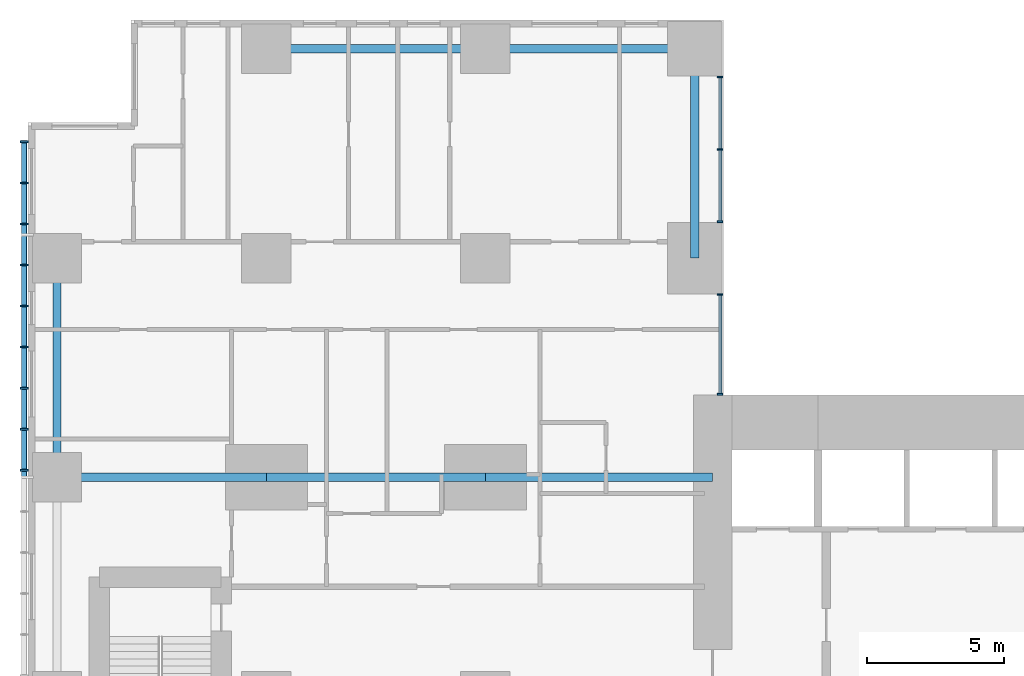
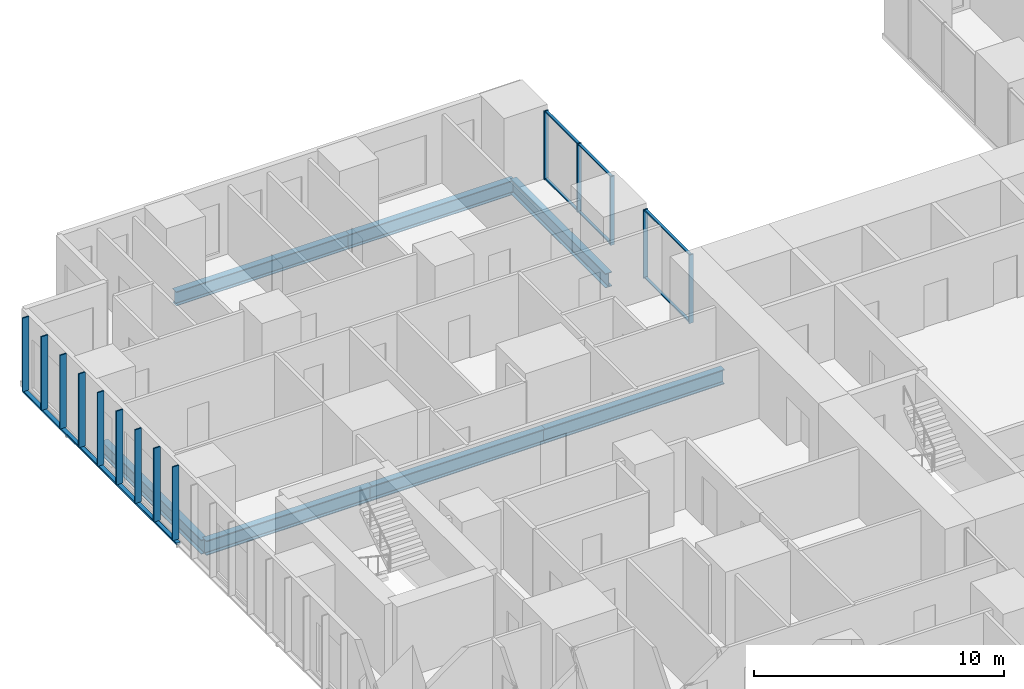
# One storey, part 4 of 20: 21 members, 7 beams, 2 elements without a shape of their own.
"""IFC4 building model written with IfcOpenShell, lengths in metres."""

from ifc_helpers import new_model, si_unit, direction, frame, origin, origin_2d, place, context, subcontext, project, spatial, rectangle, hollow_rectangle, i_section, extrude, material, layer, layer_set, material_profile, profile_set, type_object, element, aggregate, save


model = new_model("IFC4")

# Units and contexts
model_context = context("Model", 3, precision=1e-05, world=origin(), true_north=direction((0.0, 1.0)))
body_context = subcontext(model_context, "Body", "Model", "MODEL_VIEW")
ifc_project = project(units=[si_unit("LENGTHUNIT", "METRE"), si_unit("AREAUNIT", "SQUARE_METRE"), si_unit("VOLUMEUNIT", "CUBIC_METRE"), si_unit("PLANEANGLEUNIT", "RADIAN"), si_unit("MASSUNIT", "GRAM", prefix="KILO")], contexts=[model_context])

# Site, building, storey
site_placement = place(None, origin())
site = spatial("IfcSite", under=ifc_project, at=site_placement, CompositionType="ELEMENT")
building_placement = place(site_placement, origin())
building = spatial("IfcBuilding", under=site, at=building_placement, Name="Cleftline Residences", CompositionType="ELEMENT")
storey_placement = place(building_placement, frame((0.0, 0.0, 196.60009765625)))
storey = spatial("IfcBuildingStorey", under=building, at=storey_placement, Name="L51", CompositionType="ELEMENT", Elevation=196.60009765625)

# Member
ifc_material_1 = material(Name="Steel S355, hot-dip galvanised", Category="steel")
ifc_material_profile_1 = material_profile(ifc_material_1, hollow_rectangle(XDim=0.10009765625, YDim=0.199951171875, WallThickness=0.008056640625, InnerFilletRadius=0.008056640625, OuterFilletRadius=0.011962890625, at=origin_2d()))
ifc_profile_set_1 = profile_set([ifc_material_profile_1], Name="Steel S355, hot-dip galvanised")
member_type_1 = type_object("IfcMemberType", Name="BAGUETTE CARRIER RHS 200X100X8", PredefinedType="USERDEFINED", material=ifc_profile_set_1)
member_1_placement = place(storey_placement, frame((-0.85009765625, 44.300048828125, -0.050048828125), z_axis=(0.0, -1.0, 0.0), x_axis=(0.0, 0.0, 1.0)))
element("IfcMember", 1, at=member_1_placement, inside=storey, type_object=member_type_1, Name="Baguette carrier", ObjectType="BAGUETTE CARRIER", PredefinedType="USERDEFINED", context=body_context, shape_type="SweptSolid", body=[
    extrude(hollow_rectangle(XDim=0.10009765625, YDim=0.199951171875, WallThickness=0.008056640625, InnerFilletRadius=0.008056640625, OuterFilletRadius=0.011962890625, at=origin_2d()), origin(), (0.0, 0.0, 1.0), 12.300048828125),
])

# Beams
ifc_material_2 = material(Name="Steel S355", Category="steel")
ifc_material_profile_2 = material_profile(ifc_material_2, i_section(OverallWidth=0.300048828125, OverallDepth=0.699951171875, WebThickness=0.01708984375, FlangeThickness=0.031982421875, FilletRadius=0.027099609375, at=origin_2d()))
ifc_profile_set_2 = profile_set([ifc_material_profile_2], Name="Steel S355")
beam_type_1 = type_object("IfcBeamType", Name="BEAM HEB 700", PredefinedType="BEAM", material=ifc_profile_set_2)
for number, where, z_axis, x_axis, name in (
    (2, (0.35009765625, 32.0, -0.60009765625), (0.0, 1.0, 0.0), (-1.0, 0.0, 0.0), "Edge beam"),
    (3, (8.0, 47.64990234375, -0.60009765625), (1.0, 0.0, 0.0), (0.0, 1.0, 0.0), "Edge beam"),
):
    element("IfcBeam", number, at=place(storey_placement, frame(where, z_axis=z_axis, x_axis=x_axis)), inside=storey, type_object=beam_type_1, Name=name, PredefinedType="BEAM", context=body_context, shape_type="SweptSolid", body=[
        extrude(i_section(OverallWidth=0.300048828125, OverallDepth=0.699951171875, WebThickness=0.01708984375, FlangeThickness=0.031982421875, FilletRadius=0.027099609375, at=origin_2d()), origin(), (0.0, 0.0, 1.0), 8.0),
    ])
for number, where, z_axis, x_axis, name in (
    (4, (16.0, 47.64990234375, -0.60009765625), (1.0, 0.0, 0.0), (0.0, 1.0, 0.0), "Edge beam"),
    (5, (23.64990234375, 47.64990234375, -0.60009765625), (0.0, -1.0, 0.0), (1.0, 0.0, 0.0), "Edge beam"),
):
    element("IfcBeam", number, at=place(storey_placement, frame(where, z_axis=z_axis, x_axis=x_axis)), inside=storey, type_object=beam_type_1, Name=name, PredefinedType="BEAM", context=body_context, shape_type="SweptSolid", body=[
        extrude(i_section(OverallWidth=0.300048828125, OverallDepth=0.699951171875, WebThickness=0.01708984375, FlangeThickness=0.031982421875, FilletRadius=0.027099609375, at=origin_2d()), origin(), (0.0, 0.0, 1.0), 7.64990234375),
    ])
ifc_material_3 = material(Name="Steel S355", Category="steel")
ifc_material_profile_3 = material_profile(ifc_material_3, i_section(OverallWidth=0.303955078125, OverallDepth=0.716064453125, WebThickness=0.02099609375, FlangeThickness=0.0400390625, FilletRadius=0.027099609375, at=origin_2d()))
ifc_profile_set_3 = profile_set([ifc_material_profile_3], Name="Steel S355")
beam_type_2 = type_object("IfcBeamType", Name="BEAM HEM 700", PredefinedType="BEAM", material=ifc_profile_set_3)
beam_1_placement = place(storey_placement, frame((0.35009765625, 32.0, -0.608154296875), z_axis=(1.0, 0.0, 0.0), x_axis=(0.0, 1.0, 0.0)))
element("IfcBeam", 6, at=beam_1_placement, inside=storey, type_object=beam_type_2, Name="Band beam", PredefinedType="BEAM", context=body_context, shape_type="SweptSolid", body=[
    extrude(i_section(OverallWidth=0.303955078125, OverallDepth=0.716064453125, WebThickness=0.02099609375, FlangeThickness=0.0400390625, FilletRadius=0.027099609375, at=origin_2d()), origin(), (0.0, 0.0, 1.0), 7.64990234375),
])
beam_2_placement = place(storey_placement, frame((8.0, 32.0, -0.608154296875), z_axis=(1.0, 0.0, 0.0), x_axis=(0.0, 1.0, 0.0)))
element("IfcBeam", 7, at=beam_2_placement, inside=storey, type_object=beam_type_2, Name="Band beam", PredefinedType="BEAM", context=body_context, shape_type="SweptSolid", body=[
    extrude(i_section(OverallWidth=0.303955078125, OverallDepth=0.716064453125, WebThickness=0.02099609375, FlangeThickness=0.0400390625, FilletRadius=0.027099609375, at=origin_2d()), origin(), (0.0, 0.0, 1.0), 8.0),
])
beam_3_placement = place(storey_placement, frame((16.0, 32.0, -0.608154296875), z_axis=(1.0, 0.0, 0.0), x_axis=(0.0, 1.0, 0.0)))
element("IfcBeam", 8, at=beam_3_placement, inside=storey, type_object=beam_type_2, Name="Band beam", PredefinedType="BEAM", context=body_context, shape_type="SweptSolid", body=[
    extrude(i_section(OverallWidth=0.303955078125, OverallDepth=0.716064453125, WebThickness=0.02099609375, FlangeThickness=0.0400390625, FilletRadius=0.027099609375, at=origin_2d()), origin(), (0.0, 0.0, 1.0), 8.300048828125),
])

# Curtain wall, members
ifc_material_4 = material(Name="Aluminium framed curtain wall", Category="aluminium")
ifc_layer = layer(ifc_material_4, 0.199951171875)
ifc_layer_set = layer_set([ifc_layer], Name="CW1 CLEFT GLAZING")
curtain_wall_type = type_object("IfcCurtainWallType", Name="CW1 CLEFT GLAZING", PredefinedType="NOTDEFINED", material=ifc_layer_set)
curtain_wall_1_placement = place(storey_placement, origin())
curtain_wall_1 = element("IfcCurtainWall", 9, at=curtain_wall_1_placement, inside=storey, type_object=curtain_wall_type, Name="Curtain wall CW1", PredefinedType="NOTDEFINED")
ifc_material_5 = material(Name="Aluminium mullion", Category="aluminium")
ifc_material_profile_4 = material_profile(ifc_material_5, rectangle(XDim=0.199951171875, YDim=0.06005859375, at=origin_2d()))
ifc_profile_set_4 = profile_set([ifc_material_profile_4], Name="Aluminium mullion")
member_type_2 = type_object("IfcMemberType", Name="CW1 MULLION", PredefinedType="MULLION", material=ifc_profile_set_4)
member_2_placement = place(storey_placement, frame((24.574951171875, 35.030029296875, 0.0), z_axis=(0.0, 0.0, 1.0), x_axis=(-1.0, 0.0, 0.0)))
member_2 = element("IfcMember", 10, at=member_2_placement, type_object=member_type_2, Name="CW1 mullion 1", PredefinedType="MULLION", context=body_context, shape_type="SweptSolid", body=[
    extrude(rectangle(XDim=0.199951171875, YDim=0.06005859375, at=origin_2d()), origin(), (0.0, 0.0, 1.0), 3.349853515625),
])
member_3_placement = place(storey_placement, frame((24.574951171875, 38.669921875, 0.0), z_axis=(0.0, 0.0, 1.0), x_axis=(-1.0, 0.0, 0.0)))
member_3 = element("IfcMember", 11, at=member_3_placement, type_object=member_type_2, Name="CW1 mullion 2", PredefinedType="MULLION", context=body_context, shape_type="SweptSolid", body=[
    extrude(rectangle(XDim=0.199951171875, YDim=0.06005859375, at=origin_2d()), origin(), (0.0, 0.0, 1.0), 3.349853515625),
])

curtain_wall_2_placement = place(storey_placement, origin())
curtain_wall_2 = element("IfcCurtainWall", 12, at=curtain_wall_2_placement, inside=storey, type_object=curtain_wall_type, Name="Curtain wall CW1", PredefinedType="NOTDEFINED")
member_4_placement = place(storey_placement, frame((24.574951171875, 41.330078125, 0.0), z_axis=(0.0, 0.0, 1.0), x_axis=(-1.0, 0.0, 0.0)))
member_4 = element("IfcMember", 13, at=member_4_placement, type_object=member_type_2, Name="CW1 mullion 1", PredefinedType="MULLION", context=body_context, shape_type="SweptSolid", body=[
    extrude(rectangle(XDim=0.199951171875, YDim=0.06005859375, at=origin_2d()), origin(), (0.0, 0.0, 1.0), 3.349853515625),
])
member_5_placement = place(storey_placement, frame((24.574951171875, 43.97509765625, 0.0), z_axis=(0.0, 0.0, 1.0), x_axis=(-1.0, 0.0, 0.0)))
member_5 = element("IfcMember", 14, at=member_5_placement, type_object=member_type_2, Name="CW1 mullion 2", PredefinedType="MULLION", context=body_context, shape_type="SweptSolid", body=[
    extrude(rectangle(XDim=0.199951171875, YDim=0.06005859375, at=origin_2d()), origin(), (0.0, 0.0, 1.0), 3.349853515625),
])
member_6_placement = place(storey_placement, frame((24.574951171875, 46.6201171875, 0.0), z_axis=(0.0, 0.0, 1.0), x_axis=(-1.0, 0.0, 0.0)))
member_6 = element("IfcMember", 15, at=member_6_placement, type_object=member_type_2, Name="CW1 mullion 3", PredefinedType="MULLION", context=body_context, shape_type="SweptSolid", body=[
    extrude(rectangle(XDim=0.199951171875, YDim=0.06005859375, at=origin_2d()), origin(), (0.0, 0.0, 1.0), 3.349853515625),
])

# Member
ifc_material_6 = material(Name="Aluminium transom", Category="aluminium")
ifc_material_profile_5 = material_profile(ifc_material_6, rectangle(XDim=0.1201171875, YDim=0.06005859375, at=origin_2d()))
ifc_profile_set_5 = profile_set([ifc_material_profile_5], Name="Aluminium transom")
member_type_3 = type_object("IfcMemberType", Name="CW1 TRANSOM", PredefinedType="USERDEFINED", material=ifc_profile_set_5)
member_7_placement = place(storey_placement, frame((24.574951171875, 35.06005859375, 0.02978515625), z_axis=(0.0, 1.0, 0.0), x_axis=(-1.0, 0.0, 0.0)))
member_7 = element("IfcMember", 16, at=member_7_placement, type_object=member_type_3, Name="CW1 transom 1.1", ObjectType="TRANSOM", PredefinedType="USERDEFINED", context=body_context, shape_type="SweptSolid", body=[
    extrude(rectangle(XDim=0.1201171875, YDim=0.06005859375, at=origin_2d()), origin(), (0.0, 0.0, 1.0), 3.579833984375),
])

member_8_placement = place(storey_placement, frame((24.574951171875, 35.06005859375, 3.31982421875), z_axis=(0.0, 1.0, 0.0), x_axis=(-1.0, 0.0, 0.0)))
member_8 = element("IfcMember", 17, at=member_8_placement, type_object=member_type_3, Name="CW1 transom 1.2", ObjectType="TRANSOM", PredefinedType="USERDEFINED", context=body_context, shape_type="SweptSolid", body=[
    extrude(rectangle(XDim=0.1201171875, YDim=0.06005859375, at=origin_2d()), origin(), (0.0, 0.0, 1.0), 3.579833984375),
])

aggregate(curtain_wall_1, [member_2, member_3, member_7, member_8])

member_9_placement = place(storey_placement, frame((24.574951171875, 41.360107421875, 0.02978515625), z_axis=(0.0, 1.0, 0.0), x_axis=(-1.0, 0.0, 0.0)))
member_9 = element("IfcMember", 18, at=member_9_placement, type_object=member_type_3, Name="CW1 transom 1.1", ObjectType="TRANSOM", PredefinedType="USERDEFINED", context=body_context, shape_type="SweptSolid", body=[
    extrude(rectangle(XDim=0.1201171875, YDim=0.06005859375, at=origin_2d()), origin(), (0.0, 0.0, 1.0), 2.5849609375),
])

member_10_placement = place(storey_placement, frame((24.574951171875, 41.360107421875, 3.31982421875), z_axis=(0.0, 1.0, 0.0), x_axis=(-1.0, 0.0, 0.0)))
member_10 = element("IfcMember", 19, at=member_10_placement, type_object=member_type_3, Name="CW1 transom 1.2", ObjectType="TRANSOM", PredefinedType="USERDEFINED", context=body_context, shape_type="SweptSolid", body=[
    extrude(rectangle(XDim=0.1201171875, YDim=0.06005859375, at=origin_2d()), origin(), (0.0, 0.0, 1.0), 2.5849609375),
])

member_11_placement = place(storey_placement, frame((24.574951171875, 44.0048828125, 0.02978515625), z_axis=(0.0, 1.0, 0.0), x_axis=(-1.0, 0.0, 0.0)))
member_11 = element("IfcMember", 20, at=member_11_placement, type_object=member_type_3, Name="CW1 transom 2.1", ObjectType="TRANSOM", PredefinedType="USERDEFINED", context=body_context, shape_type="SweptSolid", body=[
    extrude(rectangle(XDim=0.1201171875, YDim=0.06005859375, at=origin_2d()), origin(), (0.0, 0.0, 1.0), 2.585205078125),
])

member_12_placement = place(storey_placement, frame((24.574951171875, 44.0048828125, 3.31982421875), z_axis=(0.0, 1.0, 0.0), x_axis=(-1.0, 0.0, 0.0)))
member_12 = element("IfcMember", 21, at=member_12_placement, type_object=member_type_3, Name="CW1 transom 2.2", ObjectType="TRANSOM", PredefinedType="USERDEFINED", context=body_context, shape_type="SweptSolid", body=[
    extrude(rectangle(XDim=0.1201171875, YDim=0.06005859375, at=origin_2d()), origin(), (0.0, 0.0, 1.0), 2.585205078125),
])

aggregate(curtain_wall_2, [member_4, member_5, member_6, member_9, member_10, member_11, member_12])

# Members
ifc_material_7 = material(Name="Extruded terracotta", Category="masonry")
ifc_material_profile_6 = material_profile(ifc_material_7, rectangle(XDim=0.06005859375, YDim=0.300048828125, at=origin_2d()))
ifc_profile_set_6 = profile_set([ifc_material_profile_6], Name="Extruded terracotta")
member_type_4 = type_object("IfcMemberType", Name="TERRACOTTA BAGUETTE 60X300", PredefinedType="USERDEFINED", material=ifc_profile_set_6)
for number, where, z_axis, x_axis, name in (
    (22, (-0.85009765625, 44.25, 0.0), (0.0, 0.0, 1.0), (0.0, 1.0, 0.0), "Terracotta baguette"),
    (23, (-0.85009765625, 42.75, 0.0), (0.0, 0.0, 1.0), (0.0, 1.0, 0.0), "Terracotta baguette"),
    (24, (-0.85009765625, 41.25, 0.0), (0.0, 0.0, 1.0), (0.0, 1.0, 0.0), "Terracotta baguette"),
    (25, (-0.85009765625, 39.75, 0.0), (0.0, 0.0, 1.0), (0.0, 1.0, 0.0), "Terracotta baguette"),
    (26, (-0.85009765625, 38.25, 0.0), (0.0, 0.0, 1.0), (0.0, 1.0, 0.0), "Terracotta baguette"),
    (27, (-0.85009765625, 36.75, 0.0), (0.0, 0.0, 1.0), (0.0, 1.0, 0.0), "Terracotta baguette"),
    (28, (-0.85009765625, 35.25, 0.0), (0.0, 0.0, 1.0), (0.0, 1.0, 0.0), "Terracotta baguette"),
    (29, (-0.85009765625, 33.75, 0.0), (0.0, 0.0, 1.0), (0.0, 1.0, 0.0), "Terracotta baguette"),
    (30, (-0.85009765625, 32.25, 0.0), (0.0, 0.0, 1.0), (0.0, 1.0, 0.0), "Terracotta baguette"),
):
    element("IfcMember", number, at=place(storey_placement, frame(where, z_axis=z_axis, x_axis=x_axis)), inside=storey, type_object=member_type_4, Name=name, ObjectType="BAGUETTE", PredefinedType="USERDEFINED", context=body_context, shape_type="SweptSolid", body=[
        extrude(rectangle(XDim=0.06005859375, YDim=0.300048828125, at=origin_2d()), origin(), (0.0, 0.0, 1.0), 3.599853515625),
    ])

save(model, "model.ifc")
